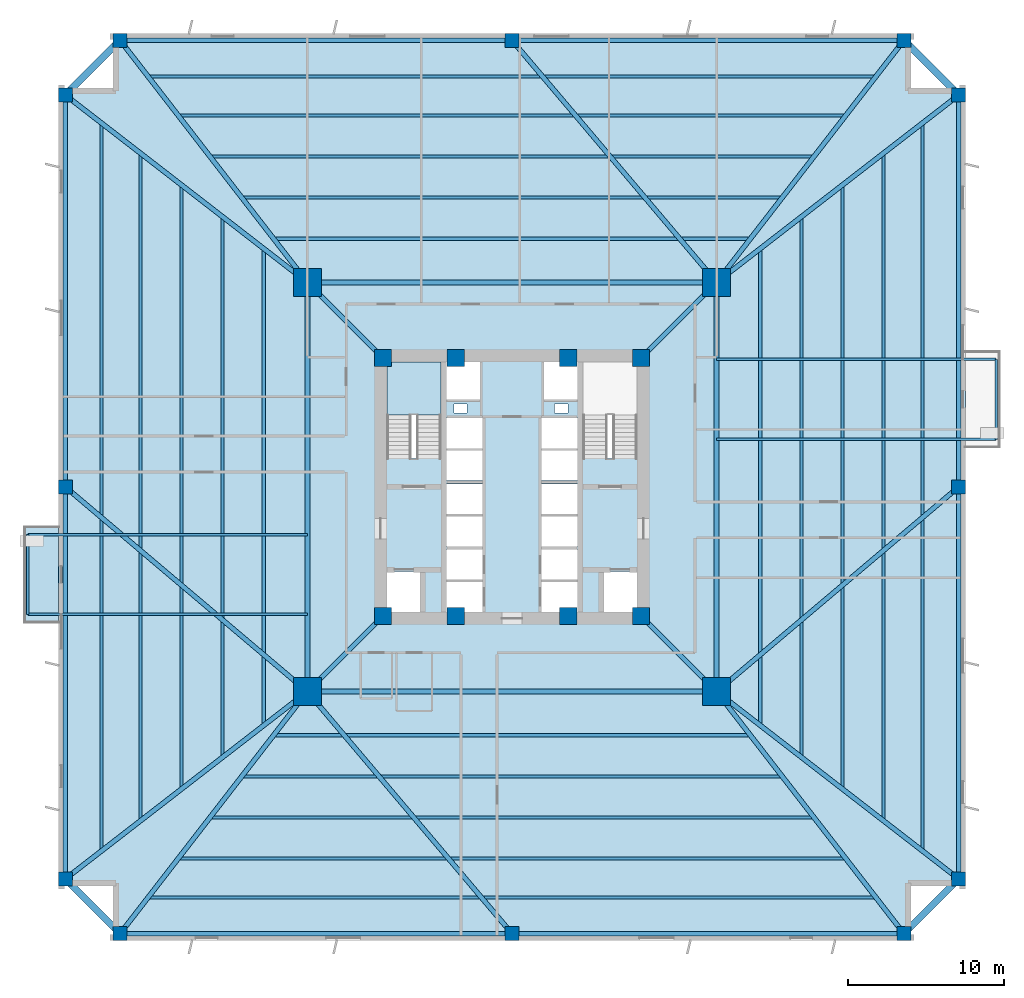
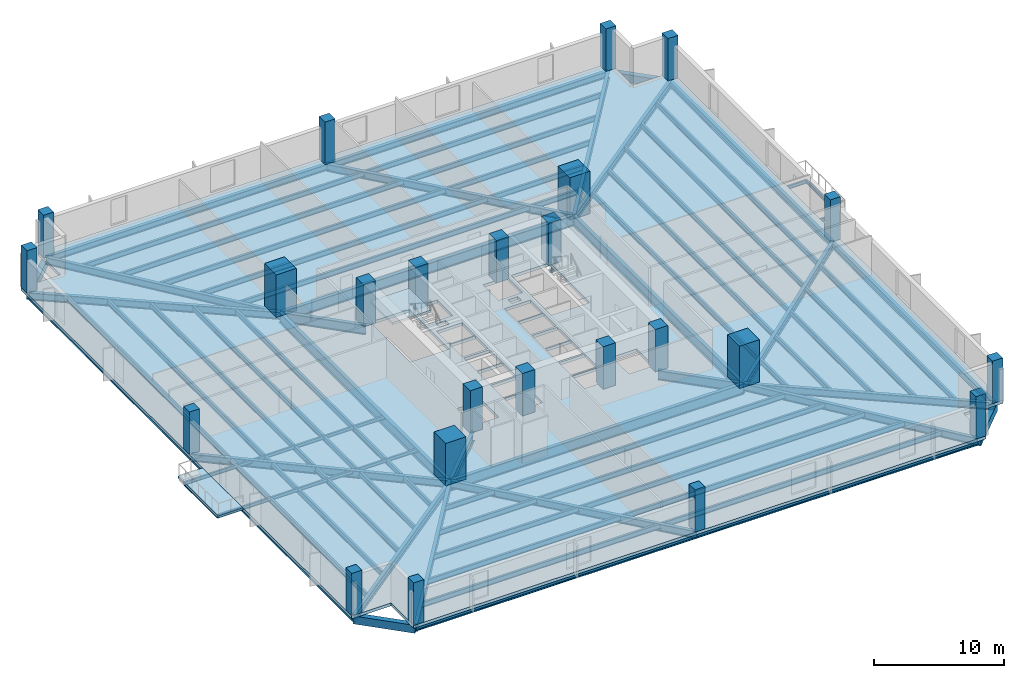
# One storey, part 1 of 8: 58 beams, 24 columns, 3 slabs, 1 element without a shape of its own.
"""IFC4 building model written with IfcOpenShell, lengths in metres."""

from ifc_helpers import new_model, si_unit, direction, frame, origin, origin_2d, place, context, subcontext, project, spatial, polyline, rectangle, i_section, outline, extrude, source, transform, mapped, material, layer, layer_set, material_profile, profile_set, type_object, element, aggregate, save


model = new_model("IFC4")

# Units and contexts
model_context = context("Model", 3, precision=1e-05, world=origin(), true_north=direction((0.0, 1.0)))
body_context = subcontext(model_context, "Body", "Model", "MODEL_VIEW")
ifc_project = project(units=[si_unit("LENGTHUNIT", "METRE"), si_unit("AREAUNIT", "SQUARE_METRE"), si_unit("VOLUMEUNIT", "CUBIC_METRE"), si_unit("PLANEANGLEUNIT", "RADIAN"), si_unit("MASSUNIT", "GRAM", prefix="KILO"), si_unit("THERMODYNAMICTEMPERATUREUNIT", "KELVIN")], contexts=[model_context])

# Site, building, storey
site_placement = place(None, origin())
site = spatial("IfcSite", under=ifc_project, at=site_placement, CompositionType="ELEMENT")
building_placement = place(site_placement, origin())
building = spatial("IfcBuilding", under=site, at=building_placement, Name="Kosmvard Interchange Tower", CompositionType="ELEMENT")
storey_placement = place(building_placement, frame((0.0, 0.0, 46.0)))
storey = spatial("IfcBuildingStorey", under=building, at=storey_placement, Name="L10", CompositionType="ELEMENT", Elevation=46.0)

# Columns
ifc_material_1 = material(Name="Concrete C80/95", Category="concrete")
ifc_material_profile_1 = material_profile(ifc_material_1, rectangle(XDim=1.10009765625, YDim=1.10009765625, at=origin_2d()), Name="CP 1100x1100")
ifc_profile_set_1 = profile_set([ifc_material_profile_1], Name="Concrete C80/95")
column_type_1 = type_object("IfcColumnType", Name="Core Boundary Pilaster 1100x1100 C80/95", PredefinedType="PILASTER", material=ifc_profile_set_1)
shared_shape_1 = source(origin(), body_context, "Body", "SweptSolid", [
    extrude(rectangle(XDim=1.10009765625, YDim=1.10009765625, at=origin_2d()), origin(), (0.0, 0.0, 1.0), 4.0),
])
for number, where, z_axis, x_axis, name in (
    (1, (-8.25, -8.25, 0.0), (0.0, 0.0, 1.0), (1.0, 0.0, 0.0), "L10 Core Pilaster CP1"),
    (2, (8.25, -8.25, 0.0), (0.0, 0.0, 1.0), (1.0, 0.0, 0.0), "L10 Core Pilaster CP2"),
    (3, (8.25, 8.25, 0.0), (0.0, 0.0, 1.0), (1.0, 0.0, 0.0), "L10 Core Pilaster CP3"),
    (4, (-8.25, 8.25, 0.0), (0.0, 0.0, 1.0), (1.0, 0.0, 0.0), "L10 Core Pilaster CP4"),
    (5, (-3.60009765625, -8.25, 0.0), (0.0, 0.0, 1.0), (1.0, 0.0, 0.0), "L10 Core Pilaster CP5"),
    (6, (3.60009765625, -8.25, 0.0), (0.0, 0.0, 1.0), (1.0, 0.0, 0.0), "L10 Core Pilaster CP6"),
    (7, (-3.60009765625, 8.25, 0.0), (0.0, 0.0, 1.0), (1.0, 0.0, 0.0), "L10 Core Pilaster CP7"),
    (8, (3.60009765625, 8.25, 0.0), (0.0, 0.0, 1.0), (1.0, 0.0, 0.0), "L10 Core Pilaster CP8"),
):
    element("IfcColumn", number, at=place(storey_placement, frame(where, z_axis=z_axis, x_axis=x_axis)), inside=storey, type_object=column_type_1, Name=name, PredefinedType="PILASTER", context=body_context, shape_type="MappedRepresentation", body=[
        mapped(shared_shape_1, transform((0.0, 0.0, 0.0), scale=1.0)),
    ])
ifc_material_profile_2 = material_profile(ifc_material_1, rectangle(XDim=1.800048828125, YDim=1.800048828125, at=origin_2d()), Name="MC 1800x1800")
ifc_profile_set_2 = profile_set([ifc_material_profile_2], Name="Concrete C80/95")
column_type_2 = type_object("IfcColumnType", Name="Composite Mega-Column 1800x1800 C80/95", PredefinedType="COLUMN", material=ifc_profile_set_2)
shared_shape_2 = source(origin(), body_context, "Body", "SweptSolid", [
    extrude(rectangle(XDim=1.800048828125, YDim=1.800048828125, at=origin_2d()), origin(), (0.0, 0.0, 1.0), 4.0),
])
for number, where, z_axis, x_axis, name in (
    (9, (-13.0810546875, -13.0810546875, 0.0), (0.0, 0.0, 1.0), (1.0, 0.0, 0.0), "L10 Corner Mega-Column MC1"),
    (10, (13.0810546875, -13.0810546875, 0.0), (0.0, 0.0, 1.0), (1.0, 0.0, 0.0), "L10 Corner Mega-Column MC2"),
    (11, (13.0810546875, 13.0810546875, 0.0), (0.0, 0.0, 1.0), (1.0, 0.0, 0.0), "L10 Corner Mega-Column MC3"),
    (12, (-13.0810546875, 13.0810546875, 0.0), (0.0, 0.0, 1.0), (1.0, 0.0, 0.0), "L10 Corner Mega-Column MC4"),
):
    element("IfcColumn", number, at=place(storey_placement, frame(where, z_axis=z_axis, x_axis=x_axis)), inside=storey, type_object=column_type_2, Name=name, PredefinedType="COLUMN", context=body_context, shape_type="MappedRepresentation", body=[
        mapped(shared_shape_2, transform((0.0, 0.0, 0.0), scale=1.0)),
    ])
ifc_material_2 = material(Name="Concrete C60/75", Category="concrete")
ifc_material_profile_3 = material_profile(ifc_material_2, rectangle(XDim=0.89990234375, YDim=0.89990234375, at=origin_2d()), Name="TC 900x900")
ifc_profile_set_3 = profile_set([ifc_material_profile_3], Name="Concrete C60/75")
column_type_3 = type_object("IfcColumnType", Name="Zone 1 Perimeter Pier Column 900x900 C60/75", PredefinedType="COLUMN", material=ifc_profile_set_3)
shared_shape_3 = source(origin(), body_context, "Body", "SweptSolid", [
    extrude(rectangle(XDim=0.89990234375, YDim=0.89990234375, at=origin_2d()), origin(), (0.0, 0.0, 1.0), 4.0),
])
for number, where, z_axis, x_axis, name in (
    (13, (-25.050048828125, -28.550048828125, 0.0), (0.0, 0.0, 1.0), (1.0, 0.0, 0.0), "L10 Perimeter Pier Column TC-S1"),
    (14, (0.0, -28.550048828125, 0.0), (0.0, 0.0, 1.0), (1.0, 0.0, 0.0), "L10 Perimeter Pier Column TC-S2"),
    (15, (25.050048828125, -28.550048828125, 0.0), (0.0, 0.0, 1.0), (1.0, 0.0, 0.0), "L10 Perimeter Pier Column TC-S3"),
    (16, (28.550048828125, -25.050048828125, 0.0), (0.0, 0.0, 1.0), (1.0, 0.0, 0.0), "L10 Perimeter Pier Column TC-E1"),
    (17, (28.550048828125, 0.0, 0.0), (0.0, 0.0, 1.0), (1.0, 0.0, 0.0), "L10 Perimeter Pier Column TC-E2"),
    (18, (28.550048828125, 25.050048828125, 0.0), (0.0, 0.0, 1.0), (1.0, 0.0, 0.0), "L10 Perimeter Pier Column TC-E3"),
    (19, (25.050048828125, 28.550048828125, 0.0), (0.0, 0.0, 1.0), (1.0, 0.0, 0.0), "L10 Perimeter Pier Column TC-N1"),
    (20, (0.0, 28.550048828125, 0.0), (0.0, 0.0, 1.0), (1.0, 0.0, 0.0), "L10 Perimeter Pier Column TC-N2"),
    (21, (-25.050048828125, 28.550048828125, 0.0), (0.0, 0.0, 1.0), (1.0, 0.0, 0.0), "L10 Perimeter Pier Column TC-N3"),
    (22, (-28.550048828125, 25.050048828125, 0.0), (0.0, 0.0, 1.0), (1.0, 0.0, 0.0), "L10 Perimeter Pier Column TC-W1"),
    (23, (-28.550048828125, 0.0, 0.0), (0.0, 0.0, 1.0), (1.0, 0.0, 0.0), "L10 Perimeter Pier Column TC-W2"),
    (24, (-28.550048828125, -25.050048828125, 0.0), (0.0, 0.0, 1.0), (1.0, 0.0, 0.0), "L10 Perimeter Pier Column TC-W3"),
):
    element("IfcColumn", number, at=place(storey_placement, frame(where, z_axis=z_axis, x_axis=x_axis)), inside=storey, type_object=column_type_3, Name=name, PredefinedType="COLUMN", context=body_context, shape_type="MappedRepresentation", body=[
        mapped(shared_shape_3, transform((0.0, 0.0, 0.0), scale=1.0)),
    ])

# Beams
ifc_material_3 = material(Name="Steel S460", Category="steel")
ifc_material_profile_4 = material_profile(ifc_material_3, i_section(OverallWidth=0.30810546875, OverallDepth=0.909912109375, WebThickness=0.02099609375, FlangeThickness=0.0400390625, FilletRadius=0.027099609375, at=origin_2d()), Name="HEM 900")
ifc_profile_set_4 = profile_set([ifc_material_profile_4], Name="Steel S460")
beam_type_1 = type_object("IfcBeamType", Name="Primary Mega-Frame Girder HEM 900 S460", PredefinedType="BEAM", material=ifc_profile_set_4)
shared_shape_4 = source(origin(), body_context, "Body", "SweptSolid", [
    extrude(i_section(OverallWidth=0.30810546875, OverallDepth=0.909912109375, WebThickness=0.02099609375, FlangeThickness=0.0400390625, FilletRadius=0.027099609375, at=origin_2d()), origin(), (0.0, 0.0, 1.0), 6.83203125),
])
for number, where, z_axis, x_axis, name in (
    (25, (-8.25, -8.25, -0.735107421875), (-0.707106781187, -0.707106781187, 0.0), (0.707106781187, -0.707106781187, 0.0), "L10 Radial Mega-Frame Girder 1"),
    (26, (8.25, -8.25, -0.735107421875), (0.707106781187, -0.707106781187, 0.0), (0.707106781187, 0.707106781187, 0.0), "L10 Radial Mega-Frame Girder 2"),
    (27, (8.25, 8.25, -0.735107421875), (0.707106781187, 0.707106781187, 0.0), (-0.707106781187, 0.707106781187, 0.0), "L10 Radial Mega-Frame Girder 3"),
    (28, (-8.25, 8.25, -0.735107421875), (-0.707106781187, 0.707106781187, 0.0), (-0.707106781187, -0.707106781187, 0.0), "L10 Radial Mega-Frame Girder 4"),
):
    element("IfcBeam", number, at=place(storey_placement, frame(where, z_axis=z_axis, x_axis=x_axis)), inside=storey, type_object=beam_type_1, Name=name, PredefinedType="BEAM", context=body_context, shape_type="MappedRepresentation", body=[
        mapped(shared_shape_4, transform((0.0, 0.0, 0.0), scale=1.0)),
    ])
ifc_material_profile_5 = material_profile(ifc_material_3, i_section(OverallWidth=0.30908203125, OverallDepth=1.008056640625, WebThickness=0.02099609375, FlangeThickness=0.0400390625, FilletRadius=0.030029296875, at=origin_2d()), Name="HEM 1000")
ifc_profile_set_5 = profile_set([ifc_material_profile_5], Name="Steel S460")
beam_type_2 = type_object("IfcBeamType", Name="Mega-Column Ring Girder HEM 1000 S460", PredefinedType="BEAM", material=ifc_profile_set_5)
shared_shape_5 = source(origin(), body_context, "Body", "SweptSolid", [
    extrude(i_section(OverallWidth=0.30908203125, OverallDepth=1.008056640625, WebThickness=0.02099609375, FlangeThickness=0.0400390625, FilletRadius=0.030029296875, at=origin_2d()), origin(), (0.0, 0.0, 1.0), 26.162109375),
])
for number, where, z_axis, x_axis, name in (
    (29, (-13.0810546875, -13.0810546875, -0.783935546875), (1.0, 0.0, 0.0), (0.0, 1.0, 0.0), "L10 Mega-Column Ring Girder 1"),
    (30, (13.0810546875, -13.0810546875, -0.783935546875), (0.0, 1.0, 0.0), (-1.0, 0.0, 0.0), "L10 Mega-Column Ring Girder 2"),
    (31, (13.0810546875, 13.0810546875, -0.783935546875), (-1.0, 0.0, 0.0), (0.0, -1.0, 0.0), "L10 Mega-Column Ring Girder 3"),
    (32, (-13.0810546875, 13.0810546875, -0.783935546875), (0.0, -1.0, 0.0), (1.0, 0.0, 0.0), "L10 Mega-Column Ring Girder 4"),
):
    element("IfcBeam", number, at=place(storey_placement, frame(where, z_axis=z_axis, x_axis=x_axis)), inside=storey, type_object=beam_type_2, Name=name, PredefinedType="BEAM", context=body_context, shape_type="MappedRepresentation", body=[
        mapped(shared_shape_5, transform((0.0, 0.0, 0.0), scale=1.0)),
    ])
ifc_material_4 = material(Name="Steel S355", Category="steel")
ifc_material_profile_6 = material_profile(ifc_material_4, i_section(OverallWidth=0.159912109375, OverallDepth=0.330078125, WebThickness=0.007568359375, FlangeThickness=0.011474609375, FilletRadius=0.01806640625, at=origin_2d()), Name="IPE 330")
ifc_profile_set_6 = profile_set([ifc_material_profile_6], Name="Steel S355")
beam_type_3 = type_object("IfcBeamType", Name="Balcony Cantilever Joist IPE 330 S355", PredefinedType="JOIST", material=ifc_profile_set_6)
shared_shape_6 = source(origin(), body_context, "Body", "SweptSolid", [
    extrude(i_section(OverallWidth=0.159912109375, OverallDepth=0.330078125, WebThickness=0.007568359375, FlangeThickness=0.011474609375, FilletRadius=0.01806640625, at=origin_2d()), origin(), (0.0, 0.0, 1.0), 17.868896484375),
])
for number, where, z_axis, x_axis, name in (
    (33, (13.0810546875, 3.050048828125, -0.445068359375), (1.0, 0.0, 0.0), (0.0, 1.0, 0.0), "BM-L10-BJ1"),
    (34, (13.0810546875, 8.14990234375, -0.445068359375), (1.0, 0.0, 0.0), (0.0, 1.0, 0.0), "BM-L10-BJB1"),
    (35, (-13.0810546875, -3.050048828125, -0.445068359375), (-1.0, 0.0, 0.0), (0.0, -1.0, 0.0), "BM-L10-BJ2"),
    (36, (-13.0810546875, -8.14990234375, -0.445068359375), (-1.0, 0.0, 0.0), (0.0, -1.0, 0.0), "BM-L10-BJB2"),
):
    element("IfcBeam", number, at=place(storey_placement, frame(where, z_axis=z_axis, x_axis=x_axis)), inside=storey, type_object=beam_type_3, Name=name, PredefinedType="JOIST", context=body_context, shape_type="MappedRepresentation", body=[
        mapped(shared_shape_6, transform((0.0, 0.0, 0.0), scale=1.0)),
    ])
ifc_material_profile_7 = material_profile(ifc_material_4, i_section(OverallWidth=0.14990234375, OverallDepth=0.300048828125, WebThickness=0.007080078125, FlangeThickness=0.0107421875, FilletRadius=0.014892578125, at=origin_2d()), Name="IPE 300")
ifc_profile_set_7 = profile_set([ifc_material_profile_7], Name="Steel S355")
beam_type_4 = type_object("IfcBeamType", Name="Balcony Edge Header Joist IPE 300 S355", PredefinedType="JOIST", material=ifc_profile_set_7)
shared_shape_7 = source(origin(), body_context, "Body", "SweptSolid", [
    extrude(i_section(OverallWidth=0.14990234375, OverallDepth=0.300048828125, WebThickness=0.007080078125, FlangeThickness=0.0107421875, FilletRadius=0.014892578125, at=origin_2d()), origin(), (0.0, 0.0, 1.0), 5.099853515625),
])
for number, where, z_axis, x_axis, name in (
    (37, (30.949951171875, 3.050048828125, -0.429931640625), (0.0, 1.0, 0.0), (-1.0, 0.0, 0.0), "BM-L10-BJH1"),
    (38, (-30.949951171875, -3.050048828125, -0.429931640625), (0.0, -1.0, 0.0), (1.0, 0.0, 0.0), "BM-L10-BJH2"),
):
    element("IfcBeam", number, at=place(storey_placement, frame(where, z_axis=z_axis, x_axis=x_axis)), inside=storey, type_object=beam_type_4, Name=name, PredefinedType="JOIST", context=body_context, shape_type="MappedRepresentation", body=[
        mapped(shared_shape_7, transform((0.0, 0.0, 0.0), scale=1.0)),
    ])
ifc_material_profile_8 = material_profile(ifc_material_4, i_section(OverallWidth=0.300048828125, OverallDepth=0.60009765625, WebThickness=0.015380859375, FlangeThickness=0.030029296875, FilletRadius=0.027099609375, at=origin_2d()), Name="HEB 600")
ifc_profile_set_8 = profile_set([ifc_material_profile_8], Name="Steel S355")
beam_type_5 = type_object("IfcBeamType", Name="Perimeter Tie Girder HEB 600 S355", PredefinedType="BEAM", material=ifc_profile_set_8)
shared_shape_8 = source(origin(), body_context, "Body", "SweptSolid", [
    extrude(i_section(OverallWidth=0.300048828125, OverallDepth=0.60009765625, WebThickness=0.015380859375, FlangeThickness=0.030029296875, FilletRadius=0.027099609375, at=origin_2d()), origin(), (0.0, 0.0, 1.0), 25.050048828125),
])
for number, where, z_axis, x_axis, name in (
    (39, (-25.050048828125, -28.550048828125, -0.580078125), (1.0, 0.0, 0.0), (0.0, 1.0, 0.0), "BM-L10-PR01"),
    (40, (0.0, -28.550048828125, -0.580078125), (1.0, 0.0, 0.0), (0.0, 1.0, 0.0), "BM-L10-PR02"),
    (41, (28.550048828125, -25.050048828125, -0.580078125), (0.0, 1.0, 0.0), (-1.0, 0.0, 0.0), "BM-L10-PR04"),
    (42, (28.550048828125, 0.0, -0.580078125), (0.0, 1.0, 0.0), (-1.0, 0.0, 0.0), "BM-L10-PR05"),
    (43, (25.050048828125, 28.550048828125, -0.580078125), (-1.0, 0.0, 0.0), (0.0, -1.0, 0.0), "BM-L10-PR07"),
    (44, (0.0, 28.550048828125, -0.580078125), (-1.0, 0.0, 0.0), (0.0, -1.0, 0.0), "BM-L10-PR08"),
    (45, (-28.550048828125, 25.050048828125, -0.580078125), (0.0, -1.0, 0.0), (1.0, 0.0, 0.0), "BM-L10-PR10"),
    (46, (-28.550048828125, 0.0, -0.580078125), (0.0, -1.0, 0.0), (1.0, 0.0, 0.0), "BM-L10-PR11"),
):
    element("IfcBeam", number, at=place(storey_placement, frame(where, z_axis=z_axis, x_axis=x_axis)), inside=storey, type_object=beam_type_5, Name=name, PredefinedType="BEAM", context=body_context, shape_type="MappedRepresentation", body=[
        mapped(shared_shape_8, transform((0.0, 0.0, 0.0), scale=1.0)),
    ])
ifc_material_profile_9 = material_profile(ifc_material_4, i_section(OverallWidth=0.300048828125, OverallDepth=0.699951171875, WebThickness=0.01708984375, FlangeThickness=0.031982421875, FilletRadius=0.027099609375, at=origin_2d()), Name="HEB 700")
ifc_profile_set_9 = profile_set([ifc_material_profile_9], Name="Steel S355")
beam_type_6 = type_object("IfcBeamType", Name="Primary Floor Girder HEB 700 S355", PredefinedType="BEAM", material=ifc_profile_set_9)
shared_shape_9 = source(origin(), body_context, "Body", "SweptSolid", [
    extrude(i_section(OverallWidth=0.300048828125, OverallDepth=0.699951171875, WebThickness=0.01708984375, FlangeThickness=0.031982421875, FilletRadius=0.027099609375, at=origin_2d()), origin(), (0.0, 0.0, 1.0), 19.558837890625),
])
for number, where, z_axis, x_axis, name in (
    (47, (-13.0810546875, -13.0810546875, -0.6298828125), (-0.611949354357, -0.79089695138, 0.0), (0.79089695138, -0.611949354357, 0.0), "BM-L10-RD01"),
    (48, (13.0810546875, -13.0810546875, -0.6298828125), (0.611949354357, -0.79089695138, 0.0), (0.79089695138, 0.611949354357, 0.0), "BM-L10-RD03"),
    (49, (13.0810546875, -13.0810546875, -0.6298828125), (0.79089695138, -0.611949354357, 0.0), (0.611949354357, 0.79089695138, 0.0), "BM-L10-RD04"),
    (50, (13.0810546875, 13.0810546875, -0.6298828125), (0.79089695138, 0.611949354357, 0.0), (-0.611949354357, 0.79089695138, 0.0), "BM-L10-RD06"),
    (51, (13.0810546875, 13.0810546875, -0.6298828125), (0.611949354357, 0.79089695138, 0.0), (-0.79089695138, 0.611949354357, 0.0), "BM-L10-RD07"),
    (52, (-13.0810546875, 13.0810546875, -0.6298828125), (-0.611949354357, 0.79089695138, 0.0), (-0.79089695138, -0.611949354357, 0.0), "BM-L10-RD09"),
    (53, (-13.0810546875, 13.0810546875, -0.6298828125), (-0.79089695138, 0.611949354357, 0.0), (-0.611949354357, -0.79089695138, 0.0), "BM-L10-RD10"),
    (54, (-13.0810546875, -13.0810546875, -0.6298828125), (-0.79089695138, -0.611949354357, 0.0), (0.611949354357, -0.79089695138, 0.0), "BM-L10-RD12"),
):
    element("IfcBeam", number, at=place(storey_placement, frame(where, z_axis=z_axis, x_axis=x_axis)), inside=storey, type_object=beam_type_6, Name=name, PredefinedType="BEAM", context=body_context, shape_type="MappedRepresentation", body=[
        mapped(shared_shape_9, transform((0.0, 0.0, 0.0), scale=1.0)),
    ])
shared_shape_10 = source(origin(), body_context, "Body", "SweptSolid", [
    extrude(i_section(OverallWidth=0.300048828125, OverallDepth=0.699951171875, WebThickness=0.01708984375, FlangeThickness=0.031982421875, FilletRadius=0.027099609375, at=origin_2d()), origin(), (0.0, 0.0, 1.0), 20.258544921875),
])
for number, where, z_axis, x_axis, name in (
    (55, (-13.0810546875, -13.0810546875, -0.6298828125), (0.645709371734, -0.763583268056, 0.0), (0.763583268056, 0.645709371734, 0.0), "BM-L10-RD02"),
    (56, (13.0810546875, -13.0810546875, -0.6298828125), (0.763583268056, 0.645709371734, 0.0), (-0.645709371734, 0.763583268056, 0.0), "BM-L10-RD05"),
    (57, (13.0810546875, 13.0810546875, -0.6298828125), (-0.645709371734, 0.763583268056, 0.0), (-0.763583268056, -0.645709371734, 0.0), "BM-L10-RD08"),
    (58, (-13.0810546875, -13.0810546875, -0.6298828125), (-0.763583268056, 0.645709371734, 0.0), (-0.645709371734, -0.763583268056, 0.0), "BM-L10-RD11"),
):
    element("IfcBeam", number, at=place(storey_placement, frame(where, z_axis=z_axis, x_axis=x_axis)), inside=storey, type_object=beam_type_6, Name=name, PredefinedType="BEAM", context=body_context, shape_type="MappedRepresentation", body=[
        mapped(shared_shape_10, transform((0.0, 0.0, 0.0), scale=1.0)),
    ])
ifc_material_5 = material(Name="Precast concrete C45/55", Category="concrete")
ifc_material_profile_10 = material_profile(ifc_material_5, rectangle(XDim=0.449951171875, YDim=0.75, at=origin_2d()), Name="SL 450x750")
ifc_profile_set_10 = profile_set([ifc_material_profile_10], Name="Precast concrete C45/55")
beam_type_7 = type_object("IfcBeamType", Name="Precast Spandrel Lintel 450x750 C45/55", PredefinedType="LINTEL", material=ifc_profile_set_10)
shared_shape_11 = source(origin(), body_context, "Body", "SweptSolid", [
    extrude(rectangle(XDim=0.449951171875, YDim=0.75, at=origin_2d()), origin(), (0.0, 0.0, 1.0), 4.94970703125),
])
for number, where, z_axis, x_axis, name in (
    (59, (25.050048828125, -28.550048828125, -0.655029296875), (0.707106781187, 0.707106781187, 0.0), (-0.707106781187, 0.707106781187, 0.0), "BM-L10-SL1"),
    (60, (28.550048828125, 25.050048828125, -0.655029296875), (-0.707106781187, 0.707106781187, 0.0), (-0.707106781187, -0.707106781187, 0.0), "BM-L10-SL2"),
    (61, (-25.050048828125, 28.550048828125, -0.655029296875), (-0.707106781187, -0.707106781187, 0.0), (0.707106781187, -0.707106781187, 0.0), "BM-L10-SL3"),
    (62, (-28.550048828125, -25.050048828125, -0.655029296875), (0.707106781187, -0.707106781187, 0.0), (0.707106781187, 0.707106781187, 0.0), "BM-L10-SL4"),
):
    element("IfcBeam", number, at=place(storey_placement, frame(where, z_axis=z_axis, x_axis=x_axis)), inside=storey, type_object=beam_type_7, Name=name, PredefinedType="LINTEL", context=body_context, shape_type="MappedRepresentation", body=[
        mapped(shared_shape_11, transform((0.0, 0.0, 0.0), scale=1.0)),
    ])
ifc_material_profile_11 = material_profile(ifc_material_4, i_section(OverallWidth=0.199951171875, OverallDepth=0.5, WebThickness=0.01025390625, FlangeThickness=0.01611328125, FilletRadius=0.02099609375, at=origin_2d()), Name="IPE 500")
ifc_profile_set_11 = profile_set([ifc_material_profile_11], Name="Steel S355")
beam_type_8 = type_object("IfcBeamType", Name="Standard Floor Joist IPE 500 S355", PredefinedType="JOIST", material=ifc_profile_set_11)
shared_shape_12 = source(origin(), body_context, "Body", "SweptSolid", [
    extrude(i_section(OverallWidth=0.199951171875, OverallDepth=0.5, WebThickness=0.01025390625, FlangeThickness=0.01611328125, FilletRadius=0.02099609375, at=origin_2d()), origin(), (0.0, 0.0, 1.0), 30.31103515625),
])
for number, where, z_axis, x_axis, name in (
    (63, (-15.155517578125, -15.865478515625, -0.530029296875), (1.0, 0.0, 0.0), (0.0, 1.0, 0.0), "BM-L10-FJ01"),
    (64, (15.865478515625, -15.155517578125, -0.530029296875), (0.0, 1.0, 0.0), (-1.0, 0.0, 0.0), "BM-L10-FJ06"),
    (65, (15.155517578125, 15.865478515625, -0.530029296875), (-1.0, 0.0, 0.0), (0.0, -1.0, 0.0), "BM-L10-FJ11"),
    (66, (-15.865478515625, 15.155517578125, -0.530029296875), (0.0, -1.0, 0.0), (1.0, 0.0, 0.0), "BM-L10-FJ16"),
):
    element("IfcBeam", number, at=place(storey_placement, frame(where, z_axis=z_axis, x_axis=x_axis)), inside=storey, type_object=beam_type_8, Name=name, PredefinedType="JOIST", context=body_context, shape_type="MappedRepresentation", body=[
        mapped(shared_shape_12, transform((0.0, 0.0, 0.0), scale=1.0)),
    ])
shared_shape_13 = source(origin(), body_context, "Body", "SweptSolid", [
    extrude(i_section(OverallWidth=0.199951171875, OverallDepth=0.5, WebThickness=0.01025390625, FlangeThickness=0.01611328125, FilletRadius=0.02099609375, at=origin_2d()), origin(), (0.0, 0.0, 1.0), 34.38037109375),
])
for number, where, z_axis, x_axis, name in (
    (67, (-17.190185546875, -18.4951171875, -0.530029296875), (1.0, 0.0, 0.0), (0.0, 1.0, 0.0), "BM-L10-FJ02"),
    (68, (18.4951171875, -17.190185546875, -0.530029296875), (0.0, 1.0, 0.0), (-1.0, 0.0, 0.0), "BM-L10-FJ07"),
    (69, (17.190185546875, 18.4951171875, -0.530029296875), (-1.0, 0.0, 0.0), (0.0, -1.0, 0.0), "BM-L10-FJ12"),
    (70, (-18.4951171875, 17.190185546875, -0.530029296875), (0.0, -1.0, 0.0), (1.0, 0.0, 0.0), "BM-L10-FJ17"),
):
    element("IfcBeam", number, at=place(storey_placement, frame(where, z_axis=z_axis, x_axis=x_axis)), inside=storey, type_object=beam_type_8, Name=name, PredefinedType="JOIST", context=body_context, shape_type="MappedRepresentation", body=[
        mapped(shared_shape_13, transform((0.0, 0.0, 0.0), scale=1.0)),
    ])
shared_shape_14 = source(origin(), body_context, "Body", "SweptSolid", [
    extrude(i_section(OverallWidth=0.199951171875, OverallDepth=0.5, WebThickness=0.01025390625, FlangeThickness=0.01611328125, FilletRadius=0.02099609375, at=origin_2d()), origin(), (0.0, 0.0, 1.0), 38.44970703125),
])
for number, where, z_axis, x_axis, name in (
    (71, (-19.224853515625, -21.125, -0.530029296875), (1.0, 0.0, 0.0), (0.0, 1.0, 0.0), "BM-L10-FJ03"),
    (72, (21.125, -19.224853515625, -0.530029296875), (0.0, 1.0, 0.0), (-1.0, 0.0, 0.0), "BM-L10-FJ08"),
    (73, (19.224853515625, 21.125, -0.530029296875), (-1.0, 0.0, 0.0), (0.0, -1.0, 0.0), "BM-L10-FJ13"),
    (74, (-21.125, 19.224853515625, -0.530029296875), (0.0, -1.0, 0.0), (1.0, 0.0, 0.0), "BM-L10-FJ18"),
):
    element("IfcBeam", number, at=place(storey_placement, frame(where, z_axis=z_axis, x_axis=x_axis)), inside=storey, type_object=beam_type_8, Name=name, PredefinedType="JOIST", context=body_context, shape_type="MappedRepresentation", body=[
        mapped(shared_shape_14, transform((0.0, 0.0, 0.0), scale=1.0)),
    ])
shared_shape_15 = source(origin(), body_context, "Body", "SweptSolid", [
    extrude(i_section(OverallWidth=0.199951171875, OverallDepth=0.5, WebThickness=0.01025390625, FlangeThickness=0.01611328125, FilletRadius=0.02099609375, at=origin_2d()), origin(), (0.0, 0.0, 1.0), 42.51904296875),
])
for number, where, z_axis, x_axis, name in (
    (75, (-21.259521484375, -23.754638671875, -0.530029296875), (1.0, 0.0, 0.0), (0.0, 1.0, 0.0), "BM-L10-FJ04"),
    (76, (23.754638671875, -21.259521484375, -0.530029296875), (0.0, 1.0, 0.0), (-1.0, 0.0, 0.0), "BM-L10-FJ09"),
    (77, (21.259521484375, 23.754638671875, -0.530029296875), (-1.0, 0.0, 0.0), (0.0, -1.0, 0.0), "BM-L10-FJ14"),
    (78, (-23.754638671875, 21.259521484375, -0.530029296875), (0.0, -1.0, 0.0), (1.0, 0.0, 0.0), "BM-L10-FJ19"),
):
    element("IfcBeam", number, at=place(storey_placement, frame(where, z_axis=z_axis, x_axis=x_axis)), inside=storey, type_object=beam_type_8, Name=name, PredefinedType="JOIST", context=body_context, shape_type="MappedRepresentation", body=[
        mapped(shared_shape_15, transform((0.0, 0.0, 0.0), scale=1.0)),
    ])
shared_shape_16 = source(origin(), body_context, "Body", "SweptSolid", [
    extrude(i_section(OverallWidth=0.199951171875, OverallDepth=0.5, WebThickness=0.01025390625, FlangeThickness=0.01611328125, FilletRadius=0.02099609375, at=origin_2d()), origin(), (0.0, 0.0, 1.0), 46.34912109375),
])
for number, where, z_axis, x_axis, name in (
    (79, (-23.174560546875, -26.229736328125, -0.530029296875), (1.0, 0.0, 0.0), (0.0, 1.0, 0.0), "BM-L10-FJ05"),
    (80, (26.229736328125, -23.174560546875, -0.530029296875), (0.0, 1.0, 0.0), (-1.0, 0.0, 0.0), "BM-L10-FJ10"),
    (81, (23.174560546875, 26.229736328125, -0.530029296875), (-1.0, 0.0, 0.0), (0.0, -1.0, 0.0), "BM-L10-FJ15"),
    (82, (-26.229736328125, 23.174560546875, -0.530029296875), (0.0, -1.0, 0.0), (1.0, 0.0, 0.0), "BM-L10-FJ20"),
):
    element("IfcBeam", number, at=place(storey_placement, frame(where, z_axis=z_axis, x_axis=x_axis)), inside=storey, type_object=beam_type_8, Name=name, PredefinedType="JOIST", context=body_context, shape_type="MappedRepresentation", body=[
        mapped(shared_shape_16, transform((0.0, 0.0, 0.0), scale=1.0)),
    ])

# Slab
ifc_material_6 = material(Name="Concrete C50/60", Category="concrete")
ifc_layer_1 = layer(ifc_material_6, 0.280029296875, Name="Concrete C50/60")
ifc_layer_set_1 = layer_set([ifc_layer_1], Name="Concrete C50/60")
slab_type_1 = type_object("IfcSlabType", Name="Low-Rise Office Composite Slab 280 C50/60", PredefinedType="FLOOR", material=ifc_layer_set_1)
slab_1_placement = place(storey_placement, frame((0.0, 0.0, -0.280029296875)))
element("IfcSlab", 83, at=slab_1_placement, inside=storey, type_object=slab_type_1, Name="L10 Structural Floor Slab", PredefinedType="FLOOR", context=body_context, shape_type="SweptSolid", body=[
    extrude(outline(polyline([(-25.5, -29.0), (25.5, -29.0), (25.5, -25.5), (29.0, -25.5), (29.0, 25.5), (25.5, 25.5), (25.5, 29.0), (-25.5, 29.0), (-25.5, 25.5), (-29.0, 25.5), (-29.0, -25.5), (-25.5, -25.5), (-25.5, -29.0)]), holes=[polyline([(-8.0, 1.8349609375), (-4.5400390625, 1.8349609375), (-4.5400390625, 8.0), (-8.0, 8.0), (-8.0, 1.8349609375)]), polyline([(4.5400390625, 1.8349609375), (8.0, 1.8349609375), (8.0, 8.0), (4.5400390625, 8.0), (4.5400390625, 1.8349609375)]), polyline([(-8.0, -8.0), (-5.800048828125, -8.0), (-5.800048828125, -5.39990234375), (-8.0, -5.39990234375), (-8.0, -8.0)]), polyline([(5.800048828125, -8.0), (8.0, -8.0), (8.0, -5.39990234375), (5.800048828125, -5.39990234375), (5.800048828125, -8.0)]), polyline([(-4.179931640625, -8.0), (-1.8798828125, -8.0), (-1.8798828125, -6.06005859375), (-4.179931640625, -6.06005859375), (-4.179931640625, -8.0)]), polyline([(-4.179931640625, -5.93994140625), (-1.8798828125, -5.93994140625), (-1.8798828125, -4.0), (-4.179931640625, -4.0), (-4.179931640625, -5.93994140625)]), polyline([(1.8798828125, -8.0), (4.179931640625, -8.0), (4.179931640625, -6.06005859375), (1.8798828125, -6.06005859375), (1.8798828125, -8.0)]), polyline([(1.8798828125, -5.93994140625), (4.179931640625, -5.93994140625), (4.179931640625, -4.0), (1.8798828125, -4.0), (1.8798828125, -5.93994140625)]), polyline([(-4.179931640625, -3.800048828125), (-1.8798828125, -3.800048828125), (-1.8798828125, -1.860107421875), (-4.179931640625, -1.860107421875), (-4.179931640625, -3.800048828125)]), polyline([(-4.179931640625, -1.739990234375), (-1.8798828125, -1.739990234375), (-1.8798828125, 0.199951171875), (-4.179931640625, 0.199951171875), (-4.179931640625, -1.739990234375)]), polyline([(1.8798828125, -3.800048828125), (4.179931640625, -3.800048828125), (4.179931640625, -1.860107421875), (1.8798828125, -1.860107421875), (1.8798828125, -3.800048828125)]), polyline([(1.8798828125, -1.739990234375), (4.179931640625, -1.739990234375), (4.179931640625, 0.199951171875), (1.8798828125, 0.199951171875), (1.8798828125, -1.739990234375)]), polyline([(-4.179931640625, 0.39990234375), (-1.8798828125, 0.39990234375), (-1.8798828125, 2.340087890625), (-4.179931640625, 2.340087890625), (-4.179931640625, 0.39990234375)]), polyline([(-4.179931640625, 2.4599609375), (-1.8798828125, 2.4599609375), (-1.8798828125, 4.39990234375), (-4.179931640625, 4.39990234375), (-4.179931640625, 2.4599609375)]), polyline([(1.8798828125, 0.39990234375), (4.179931640625, 0.39990234375), (4.179931640625, 2.340087890625), (1.8798828125, 2.340087890625), (1.8798828125, 0.39990234375)]), polyline([(1.8798828125, 2.4599609375), (4.179931640625, 2.4599609375), (4.179931640625, 4.39990234375), (1.8798828125, 4.39990234375), (1.8798828125, 2.4599609375)]), polyline([(-4.179931640625, 5.60009765625), (-2.0400390625, 5.60009765625), (-2.0400390625, 8.0), (-4.179931640625, 8.0), (-4.179931640625, 5.60009765625)]), polyline([(2.0400390625, 5.60009765625), (4.179931640625, 5.60009765625), (4.179931640625, 8.0), (2.0400390625, 8.0), (2.0400390625, 5.60009765625)]), polyline([(-3.715087890625, 4.739990234375), (-2.864990234375, 4.739990234375), (-2.864990234375, 5.2900390625), (-3.715087890625, 5.2900390625), (-3.715087890625, 4.739990234375)]), polyline([(2.715087890625, 4.739990234375), (3.56494140625, 4.739990234375), (3.56494140625, 5.2900390625), (2.715087890625, 5.2900390625), (2.715087890625, 4.739990234375)])]), origin(), (0.0, 0.0, 1.0), 0.280029296875),
])

# Stair, slab
stair_type = type_object("IfcStairType", Name="Dog-Leg Core Exit Stair H4000 C50/60", PredefinedType="HALF_TURN_STAIR", material=ifc_material_6)
stair_placement = place(storey_placement, origin())
stair = element("IfcStair", 84, at=stair_placement, inside=storey, type_object=stair_type, Name="L10 Protected Exit Stair ST-1", PredefinedType="HALF_TURN_STAIR")
ifc_layer_2 = layer(ifc_material_6, 0.199951171875, Name="Concrete C50/60")
ifc_layer_set_2 = layer_set([ifc_layer_2], Name="Concrete C50/60")
slab_type_2 = type_object("IfcSlabType", Name="Stair Half-Landing Slab 200 C50/60", PredefinedType="LANDING", material=ifc_layer_set_2)
slab_2_placement = place(storey_placement, frame((0.0, 0.0, 1.800048828125)))
slab_2 = element("IfcSlab", 85, at=slab_2_placement, type_object=slab_type_2, Name="ST-1 landing 1", PredefinedType="LANDING", context=body_context, shape_type="SweptSolid", body=[
    extrude(outline(polyline([(-4.5400390625, 4.60009765625), (-4.5400390625, 8.0), (-8.0, 8.0), (-8.0, 4.60009765625), (-4.5400390625, 4.60009765625)])), origin(), (0.0, 0.0, 1.0), 0.199951171875),
])
aggregate(stair, [slab_2])

# Slab
ifc_layer_3 = layer(ifc_material_6, 0.22998046875, Name="Concrete C50/60")
ifc_layer_set_3 = layer_set([ifc_layer_3], Name="Concrete C50/60")
slab_type_3 = type_object("IfcSlabType", Name="Tree-Planter Cantilever Balcony Slab 230 C50/60", PredefinedType="FLOOR", material=ifc_layer_set_3)
slab_3_placement = place(storey_placement, frame((0.0, 0.0, -0.22998046875)))
element("IfcSlab", 86, at=slab_3_placement, inside=storey, type_object=slab_type_3, Name="L10 Outdoor Terrace Balcony Slab BAL-L10-W", PredefinedType="FLOOR", context=body_context, shape_type="SweptSolid", body=[
    extrude(outline(polyline([(-31.199951171875, -8.699951171875), (-29.0, -8.699951171875), (-29.0, -2.5), (-31.199951171875, -2.5), (-31.199951171875, -8.699951171875)])), origin(), (0.0, 0.0, 1.0), 0.22998046875),
])

save(model, "model.ifc")
